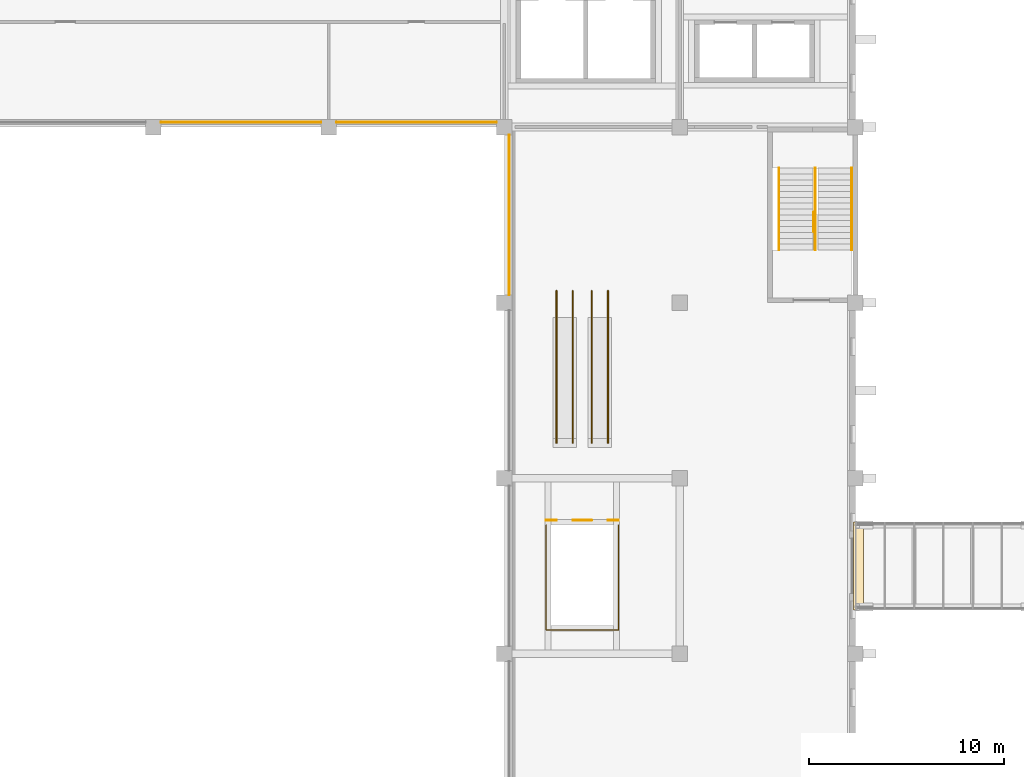
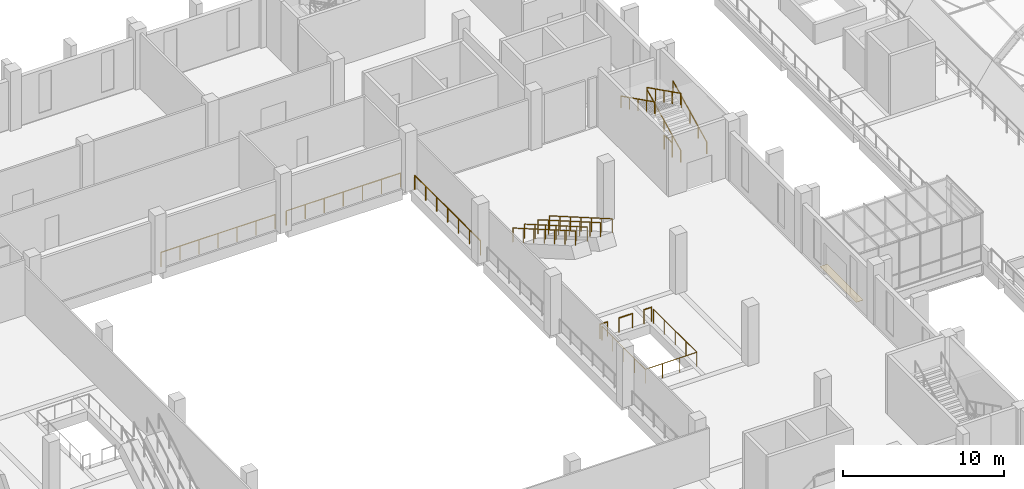
# One storey, part 74 of 79: 16 railings, 1 covering.
"""IFC4 building model written with IfcOpenShell, lengths in metres."""

from ifc_helpers import new_model, si_unit, direction, frame, origin, origin_2d, place, context, subcontext, project, spatial, rectangle, circle, extrude, material, layer, layer_set, type_object, element, save


model = new_model("IFC4")

# Units and contexts
model_context = context("Model", 3, precision=1e-05, world=origin(), true_north=direction((0.0, 1.0)))
body_context = subcontext(model_context, "Body", "Model", "MODEL_VIEW")
ifc_project = project(units=[si_unit("LENGTHUNIT", "METRE"), si_unit("AREAUNIT", "SQUARE_METRE"), si_unit("VOLUMEUNIT", "CUBIC_METRE"), si_unit("PLANEANGLEUNIT", "RADIAN"), si_unit("MASSUNIT", "GRAM", prefix="KILO")], contexts=[model_context])

# Site, building, storey
site_placement = place(None, origin())
site = spatial("IfcSite", under=ifc_project, at=site_placement, CompositionType="ELEMENT")
building_placement = place(site_placement, origin())
building = spatial("IfcBuilding", under=site, at=building_placement, Name="Guidao Yard Department Store", CompositionType="ELEMENT")
storey_placement = place(building_placement, frame((0.0, 0.0, 15.0)))
storey = spatial("IfcBuildingStorey", under=building, at=storey_placement, Name="L03", CompositionType="ELEMENT", Elevation=15.0)

# Covering
ifc_material_1 = material(Name="Stainless steel 316", Category="steel")
ifc_layer = layer(ifc_material_1, 0.010009765625)
ifc_layer_set = layer_set([ifc_layer], Name="Bridge joint cover JC1 stainless steel 10 x 515")
covering_type = type_object("IfcCoveringType", Name="Bridge joint cover JC1 stainless steel 10 x 515", PredefinedType="FLOORING", material=ifc_layer_set)
covering_placement = place(storey_placement, frame((63.157470703125, 67.5, 0.0), z_axis=(0.0, 0.0, 1.0), x_axis=(1.0, 0.0, 0.0)))
element("IfcCovering", 1, at=covering_placement, inside=storey, type_object=covering_type, Name="Bridge joint cover plate BR05", PredefinedType="FLOORING", context=body_context, shape_type="SweptSolid", body=[
    extrude(rectangle(XDim=0.514892578125, YDim=4.5, at=origin_2d()), origin(), (0.0, 0.0, 1.0), 0.010009765625),
])

# Railings
ifc_material_2 = material(Name="Laminated glass", Category="glass")
railing_type_1 = type_object("IfcRailingType", Name="Escalator balustrade glass 1100", PredefinedType="BALUSTRADE", material=ifc_material_2)
for number, where, name in (
    (2, (47.679931640625, 81.60009765625, 0.0), "Escalator EH8 up balustrade"),
    (3, (48.52001953125, 81.60009765625, 0.0), "Escalator EH8 up balustrade"),
    (4, (49.47998046875, 81.60009765625, 0.0), "Escalator EH8 down balustrade"),
    (5, (50.320068359375, 81.60009765625, 0.0), "Escalator EH8 down balustrade"),
):
    element("IfcRailing", number, at=place(storey_placement, frame(where)), inside=storey, type_object=railing_type_1, Name=name, PredefinedType="BALUSTRADE", context=body_context, shape_type="SweptSolid", body=[
        extrude(circle(Radius=0.030029296875, at=origin_2d()), frame((0.0, 0.0, 1.070068359375), z_axis=(0.0, -0.866024315419, 0.5000018851), x_axis=(1.0, 0.0, 0.0)), (0.0, 0.0, 1.0), 9.0),
        extrude(circle(Radius=0.02490234375, at=origin_2d()), origin(), (0.0, 0.0, 1.0), 1.0400390625),
        extrude(circle(Radius=0.02490234375, at=origin_2d()), frame((0.0, -1.299072265625, 0.75)), (0.0, 0.0, 1.0), 1.0400390625),
        extrude(circle(Radius=0.02490234375, at=origin_2d()), frame((0.0, -2.59814453125, 1.5)), (0.0, 0.0, 1.0), 1.0400390625),
        extrude(circle(Radius=0.02490234375, at=origin_2d()), frame((0.0, -3.89697265625, 2.25)), (0.0, 0.0, 1.0), 1.0400390625),
        extrude(circle(Radius=0.02490234375, at=origin_2d()), frame((0.0, -5.196044921875, 3.0)), (0.0, 0.0, 1.0), 1.0400390625),
        extrude(circle(Radius=0.02490234375, at=origin_2d()), frame((0.0, -6.4951171875, 3.75)), (0.0, 0.0, 1.0), 1.0400390625),
        extrude(circle(Radius=0.02490234375, at=origin_2d()), frame((0.0, -7.794189453125, 4.5)), (0.0, 0.0, 1.0), 1.0400390625),
    ])
ifc_material_3 = material(Name="Steel Q235", Category="steel")
railing_type_2 = type_object("IfcRailingType", Name="Guard steel balustrade 1100", PredefinedType="GUARDRAIL", material=ifc_material_3)
railing_1_placement = place(storey_placement, frame((60.875, 84.6298828125, 0.0)))
element("IfcRailing", 6, at=railing_1_placement, inside=storey, type_object=railing_type_2, Name="Stair A4 guard L03 4", PredefinedType="GUARDRAIL", context=body_context, shape_type="SweptSolid", body=[
    extrude(circle(Radius=0.02392578125, at=origin_2d()), frame((0.0, 0.0, 1.076171875), z_axis=(0.0, 1.0, 0.0), x_axis=(-1.0, 0.0, 0.0)), (0.0, 0.0, 1.0), 1.0),
    extrude(circle(Radius=0.02099609375, at=origin_2d()), origin(), (0.0, 0.0, 1.0), 1.052001953125),
    extrude(circle(Radius=0.02099609375, at=origin_2d()), frame((0.0, 1.0, 0.0)), (0.0, 0.0, 1.0), 1.052001953125),
])
railing_2_placement = place(storey_placement, frame((47.14990234375, 69.843994140625, 0.0)))
element("IfcRailing", 7, at=railing_2_placement, inside=storey, type_object=railing_type_2, Name="Guard escalator EH5 arrival 1", PredefinedType="GUARDRAIL", context=body_context, shape_type="SweptSolid", body=[
    extrude(circle(Radius=0.02392578125, at=origin_2d()), frame((0.0, 0.0, 1.076171875), z_axis=(1.0, 0.0, 0.0), x_axis=(0.0, 1.0, 0.0)), (0.0, 0.0, 1.0), 0.530029296875),
    extrude(circle(Radius=0.02099609375, at=origin_2d()), origin(), (0.0, 0.0, 1.0), 1.052001953125),
    extrude(circle(Radius=0.02099609375, at=origin_2d()), frame((0.530029296875, 0.0, 0.0)), (0.0, 0.0, 1.0), 1.052001953125),
])
railing_3_placement = place(storey_placement, frame((48.52001953125, 69.843994140625, 0.0)))
element("IfcRailing", 8, at=railing_3_placement, inside=storey, type_object=railing_type_2, Name="Guard escalator EH5 arrival 2", PredefinedType="GUARDRAIL", context=body_context, shape_type="SweptSolid", body=[
    extrude(circle(Radius=0.02392578125, at=origin_2d()), frame((0.0, 0.0, 1.076171875), z_axis=(1.0, 0.0, 0.0), x_axis=(0.0, 1.0, 0.0)), (0.0, 0.0, 1.0), 0.9599609375),
    extrude(circle(Radius=0.02099609375, at=origin_2d()), origin(), (0.0, 0.0, 1.0), 1.052001953125),
    extrude(circle(Radius=0.02099609375, at=origin_2d()), frame((0.9599609375, 0.0, 0.0)), (0.0, 0.0, 1.0), 1.052001953125),
])
railing_4_placement = place(storey_placement, frame((50.320068359375, 69.843994140625, 0.0)))
element("IfcRailing", 9, at=railing_4_placement, inside=storey, type_object=railing_type_2, Name="Guard escalator EH5 arrival 3", PredefinedType="GUARDRAIL", context=body_context, shape_type="SweptSolid", body=[
    extrude(circle(Radius=0.02392578125, at=origin_2d()), frame((0.0, 0.0, 1.076171875), z_axis=(1.0, 0.0, 0.0), x_axis=(0.0, 1.0, 0.0)), (0.0, 0.0, 1.0), 0.530029296875),
    extrude(circle(Radius=0.02099609375, at=origin_2d()), origin(), (0.0, 0.0, 1.0), 1.052001953125),
    extrude(circle(Radius=0.02099609375, at=origin_2d()), frame((0.530029296875, 0.0, 0.0)), (0.0, 0.0, 1.0), 1.052001953125),
])
railing_5_placement = place(storey_placement, frame((45.25, 81.39990234375, 0.0)))
element("IfcRailing", 10, at=railing_5_placement, inside=storey, type_object=railing_type_2, Name="Guard atrium E L03", PredefinedType="GUARDRAIL", context=body_context, shape_type="SweptSolid", body=[
    extrude(circle(Radius=0.02392578125, at=origin_2d()), frame((0.0, 0.0, 1.076171875), z_axis=(0.0, 1.0, 0.0), x_axis=(-1.0, 0.0, 0.0)), (0.0, 0.0, 1.0), 8.2001953125),
    extrude(circle(Radius=0.02099609375, at=origin_2d()), origin(), (0.0, 0.0, 1.0), 1.052001953125),
    extrude(circle(Radius=0.02099609375, at=origin_2d()), frame((0.0, 1.36669921875, 0.0)), (0.0, 0.0, 1.0), 1.052001953125),
    extrude(circle(Radius=0.02099609375, at=origin_2d()), frame((0.0, 2.7333984375, 0.0)), (0.0, 0.0, 1.0), 1.052001953125),
    extrude(circle(Radius=0.02099609375, at=origin_2d()), frame((0.0, 4.10009765625, 0.0)), (0.0, 0.0, 1.0), 1.052001953125),
    extrude(circle(Radius=0.02099609375, at=origin_2d()), frame((0.0, 5.466796875, 0.0)), (0.0, 0.0, 1.0), 1.052001953125),
    extrude(circle(Radius=0.02099609375, at=origin_2d()), frame((0.0, 6.83349609375, 0.0)), (0.0, 0.0, 1.0), 1.052001953125),
    extrude(circle(Radius=0.02099609375, at=origin_2d()), frame((0.0, 8.2001953125, 0.0)), (0.0, 0.0, 1.0), 1.052001953125),
])
for number, where, name in (
    (11, (44.60009765625, 90.25, 0.0), "Guard atrium N L03"),
    (12, (35.60009765625, 90.25, 0.0), "Guard atrium N L03"),
):
    element("IfcRailing", number, at=place(storey_placement, frame(where)), inside=storey, type_object=railing_type_2, Name=name, PredefinedType="GUARDRAIL", context=body_context, shape_type="SweptSolid", body=[
        extrude(circle(Radius=0.02392578125, at=origin_2d()), frame((0.0, 0.0, 1.076171875), z_axis=(-1.0, 0.0, 0.0), x_axis=(0.0, -1.0, 0.0)), (0.0, 0.0, 1.0), 8.2001953125),
        extrude(circle(Radius=0.02099609375, at=origin_2d()), origin(), (0.0, 0.0, 1.0), 1.052001953125),
        extrude(circle(Radius=0.02099609375, at=origin_2d()), frame((-1.36669921875, 0.0, 0.0)), (0.0, 0.0, 1.0), 1.052001953125),
        extrude(circle(Radius=0.02099609375, at=origin_2d()), frame((-2.7333984375, 0.0, 0.0)), (0.0, 0.0, 1.0), 1.052001953125),
        extrude(circle(Radius=0.02099609375, at=origin_2d()), frame((-4.10009765625, 0.0, 0.0)), (0.0, 0.0, 1.0), 1.052001953125),
        extrude(circle(Radius=0.02099609375, at=origin_2d()), frame((-5.466796875, 0.0, 0.0)), (0.0, 0.0, 1.0), 1.052001953125),
        extrude(circle(Radius=0.02099609375, at=origin_2d()), frame((-6.83349609375, 0.0, 0.0)), (0.0, 0.0, 1.0), 1.052001953125),
        extrude(circle(Radius=0.02099609375, at=origin_2d()), frame((-8.2001953125, 0.0, 0.0)), (0.0, 0.0, 1.0), 1.052001953125),
    ])
railing_6_placement = place(storey_placement, frame((50.85009765625, 69.593994140625, 0.0)))
element("IfcRailing", 13, at=railing_6_placement, inside=storey, type_object=railing_type_2, Name="Guard well EH5 L03", PredefinedType="GUARDRAIL", context=body_context, shape_type="SweptSolid", body=[
    extrude(circle(Radius=0.02392578125, at=origin_2d()), frame((0.0, 0.0, 1.076171875), z_axis=(0.0, -1.0, 0.0), x_axis=(1.0, 0.0, 0.0)), (0.0, 0.0, 1.0), 5.387939453125),
    extrude(circle(Radius=0.02392578125, at=origin_2d()), frame((0.0, -5.387939453125, 1.076171875), z_axis=(-1.0, 0.0, 0.0), x_axis=(0.0, -1.0, 0.0)), (0.0, 0.0, 1.0), 3.7001953125),
    extrude(circle(Radius=0.02392578125, at=origin_2d()), frame((-3.7001953125, -5.387939453125, 1.076171875), z_axis=(0.0, 1.0, 0.0), x_axis=(-1.0, 0.0, 0.0)), (0.0, 0.0, 1.0), 5.387939453125),
    extrude(circle(Radius=0.02099609375, at=origin_2d()), origin(), (0.0, 0.0, 1.0), 1.052001953125),
    extrude(circle(Radius=0.02099609375, at=origin_2d()), frame((0.0, -1.346923828125, 0.0)), (0.0, 0.0, 1.0), 1.052001953125),
    extrude(circle(Radius=0.02099609375, at=origin_2d()), frame((0.0, -2.69384765625, 0.0)), (0.0, 0.0, 1.0), 1.052001953125),
    extrude(circle(Radius=0.02099609375, at=origin_2d()), frame((0.0, -4.041015625, 0.0)), (0.0, 0.0, 1.0), 1.052001953125),
    extrude(circle(Radius=0.02099609375, at=origin_2d()), frame((0.0, -5.387939453125, 0.0)), (0.0, 0.0, 1.0), 1.052001953125),
    extrude(circle(Radius=0.02099609375, at=origin_2d()), frame((-1.2333984375, -5.387939453125, 0.0)), (0.0, 0.0, 1.0), 1.052001953125),
    extrude(circle(Radius=0.02099609375, at=origin_2d()), frame((-2.466796875, -5.387939453125, 0.0)), (0.0, 0.0, 1.0), 1.052001953125),
    extrude(circle(Radius=0.02099609375, at=origin_2d()), frame((-3.7001953125, -5.387939453125, 0.0)), (0.0, 0.0, 1.0), 1.052001953125),
    extrude(circle(Radius=0.02099609375, at=origin_2d()), frame((-3.7001953125, -4.041015625, 0.0)), (0.0, 0.0, 1.0), 1.052001953125),
    extrude(circle(Radius=0.02099609375, at=origin_2d()), frame((-3.7001953125, -2.69384765625, 0.0)), (0.0, 0.0, 1.0), 1.052001953125),
    extrude(circle(Radius=0.02099609375, at=origin_2d()), frame((-3.7001953125, -1.346923828125, 0.0)), (0.0, 0.0, 1.0), 1.052001953125),
    extrude(circle(Radius=0.02099609375, at=origin_2d()), frame((-3.7001953125, 0.0, 0.0)), (0.0, 0.0, 1.0), 1.052001953125),
])
ifc_material_4 = material(Name="Steel Q235", Category="steel")
railing_type_3 = type_object("IfcRailingType", Name="Handrail steel tube 48", PredefinedType="HANDRAIL", material=ifc_material_4)
for number, where, name in (
    (14, (62.81494140625, 83.699951171875, 0.14990234375), "Stair A4 hand rail L03 13"),
    (15, (60.949951171875, 83.699951171875, 0.14990234375), "Stair A4 hand rail L03 14"),
):
    element("IfcRailing", number, at=place(storey_placement, frame(where)), inside=storey, type_object=railing_type_3, Name=name, PredefinedType="HANDRAIL", context=body_context, shape_type="SweptSolid", body=[
        extrude(circle(Radius=0.02392578125, at=origin_2d()), frame((0.0, 0.0, 0.8759765625), z_axis=(0.0, 0.894416792377, 0.447234392142), x_axis=(-1.0, 0.0, 0.0)), (0.0, 0.0, 1.0), 4.69580078125),
        extrude(circle(Radius=0.02099609375, at=origin_2d()), origin(), (0.0, 0.0, 1.0), 0.851806640625),
        extrude(circle(Radius=0.02099609375, at=origin_2d()), frame((0.0, 1.050048828125, 0.52490234375)), (0.0, 0.0, 1.0), 0.851806640625),
        extrude(circle(Radius=0.02099609375, at=origin_2d()), frame((0.0, 2.10009765625, 1.050048828125)), (0.0, 0.0, 1.0), 0.851806640625),
        extrude(circle(Radius=0.02099609375, at=origin_2d()), frame((0.0, 3.14990234375, 1.5751953125)), (0.0, 0.0, 1.0), 0.851806640625),
        extrude(circle(Radius=0.02099609375, at=origin_2d()), frame((0.0, 4.199951171875, 2.10009765625)), (0.0, 0.0, 1.0), 0.851806640625),
    ])
for number, where, name in (
    (16, (59.0849609375, 87.89990234375, 2.39990234375), "Stair A4 hand rail L03 15"),
    (17, (60.949951171875, 87.89990234375, 2.39990234375), "Stair A4 hand rail L03 16"),
):
    element("IfcRailing", number, at=place(storey_placement, frame(where)), inside=storey, type_object=railing_type_3, Name=name, PredefinedType="HANDRAIL", context=body_context, shape_type="SweptSolid", body=[
        extrude(circle(Radius=0.02392578125, at=origin_2d()), frame((0.0, 0.0, 0.8759765625), z_axis=(0.0, -0.894416792377, 0.447234392142), x_axis=(1.0, 0.0, 0.0)), (0.0, 0.0, 1.0), 4.69580078125),
        extrude(circle(Radius=0.02099609375, at=origin_2d()), origin(), (0.0, 0.0, 1.0), 0.851806640625),
        extrude(circle(Radius=0.02099609375, at=origin_2d()), frame((0.0, -1.050048828125, 0.52490234375)), (0.0, 0.0, 1.0), 0.851806640625),
        extrude(circle(Radius=0.02099609375, at=origin_2d()), frame((0.0, -2.10009765625, 1.050048828125)), (0.0, 0.0, 1.0), 0.851806640625),
        extrude(circle(Radius=0.02099609375, at=origin_2d()), frame((0.0, -3.14990234375, 1.5751953125)), (0.0, 0.0, 1.0), 0.851806640625),
        extrude(circle(Radius=0.02099609375, at=origin_2d()), frame((0.0, -4.199951171875, 2.10009765625)), (0.0, 0.0, 1.0), 0.851806640625),
    ])

save(model, "model.ifc")
